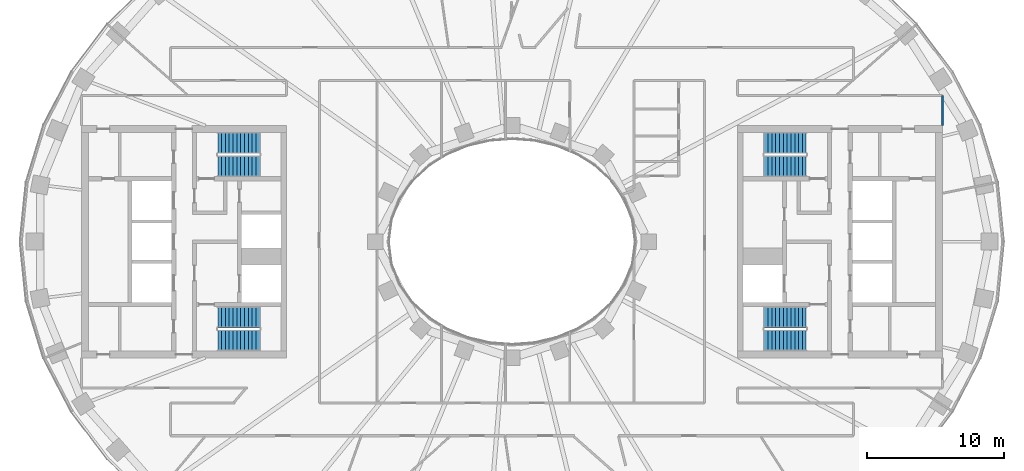
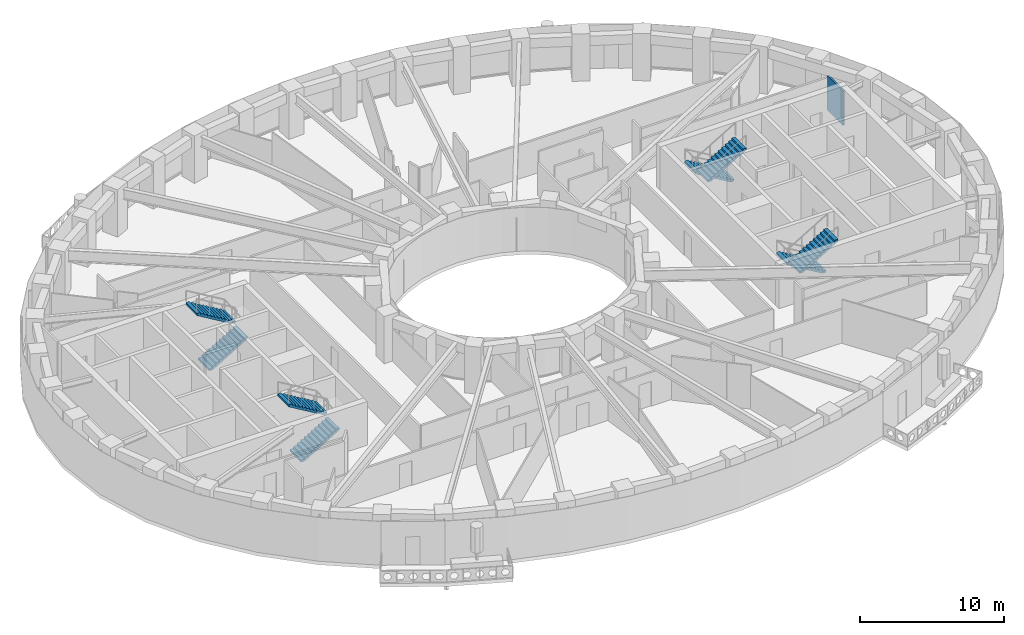
# One storey, part 7 of 15: 8 stair flights, 1 wall, 4 elements without a shape of their own.
"""IFC4 building model written with IfcOpenShell, lengths in metres."""

import ifcopenshell
import ifcopenshell.guid

model = None  # the IFC model being written
_history = None  # IfcOwnerHistory: only IFC2X3 demands one
_inside = {}  # id of a spatial element -> (the spatial element, [elements in it])
_under = {}  # id of a project, library or spatial element -> (it, [spatial elements below it])
_declared = {}  # id of a project -> (the project, [libraries it declares])
_typed = {}  # id of a type object -> (the type object, [elements of that type])
_made_of = {}  # id of a material, layer set ... -> (it, [elements and type objects made of it])


def new_model(schema):
    """Start an empty IFC model of exactly this schema.

    Asked for "IFC4X3", IfcOpenShell would pick the latest addendum, in which some entities
    have other attributes; the version numbers below select the first issue.
    IFC2X3 requires an IfcOwnerHistory on every rooted entity: one is made here for all.
    """
    global model, _history
    if schema == "IFC4X3":
        model = ifcopenshell.file(schema_version=(4, 3, 0, 0))
    else:
        model = ifcopenshell.file(schema=schema)
    _inside.clear()
    _under.clear()
    _declared.clear()
    _typed.clear()
    _made_of.clear()
    _history = None
    if model.schema == "IFC2X3":
        org = make("IfcOrganization", Name="unknown")
        user = make(
            "IfcPersonAndOrganization",
            ThePerson=make("IfcPerson", FamilyName="unknown"),
            TheOrganization=org,
        )
        app = make(
            "IfcApplication",
            ApplicationDeveloper=org,
            Version="unknown",
            ApplicationFullName="unknown",
            ApplicationIdentifier="unknown",
        )
        _history = make(
            "IfcOwnerHistory",
            OwningUser=user,
            OwningApplication=app,
            ChangeAction="ADDED",
            CreationDate=0,
        )
    return model


def make(cls, **values):
    """One entity of the class cls with the attributes given. An attribute that is None is left unset."""
    return model.create_entity(
        cls, **{name: value for name, value in values.items() if value is not None}
    )


def rooted(cls, **values):
    """An entity with a GlobalId (a new one), such as an element, a storey or a relation."""
    return make(cls, GlobalId=ifcopenshell.guid.new(), OwnerHistory=_history, **values)


def si_unit(unit_type, name, prefix=None):
    """IfcSIUnit, for example si_unit("LENGTHUNIT", "METRE", prefix="MILLI")."""
    return make("IfcSIUnit", UnitType=unit_type, Prefix=prefix, Name=name)


def assignment(units):
    """IfcUnitAssignment: the units of a project."""
    return None if units is None else make("IfcUnitAssignment", Units=units)


def point(xyz):
    """IfcCartesianPoint."""
    return None if xyz is None else make("IfcCartesianPoint", Coordinates=xyz)


def direction(xyz):
    """IfcDirection."""
    return None if xyz is None else make("IfcDirection", DirectionRatios=xyz)


def frame(location, z_axis=None, x_axis=None):
    """IfcAxis2Placement3D, a coordinate frame: its origin and axes. An axis left out is left unset."""
    return make(
        "IfcAxis2Placement3D",
        Location=point(location),
        Axis=direction(z_axis),
        RefDirection=direction(x_axis),
    )


def frame_2d(location, x_axis=None):
    """IfcAxis2Placement2D, a coordinate frame in the plane: its origin and x axis."""
    return make(
        "IfcAxis2Placement2D", Location=point(location), RefDirection=direction(x_axis)
    )


def origin():
    """The frame at (0, 0, 0) with its axes left unset."""
    return frame((0.0, 0.0, 0.0))


def place(relative_to, where):
    """IfcLocalPlacement: puts the frame where relative to a parent placement (None: the world)."""
    return make(
        "IfcLocalPlacement", PlacementRelTo=relative_to, RelativePlacement=where
    )


def context(
    kind, dimensions, precision=None, world=None, true_north=None, identifier=None
):
    """IfcGeometricRepresentationContext, for example the 3D "Model" context."""
    return make(
        "IfcGeometricRepresentationContext",
        ContextIdentifier=identifier,
        ContextType=kind,
        CoordinateSpaceDimension=dimensions,
        Precision=precision,
        WorldCoordinateSystem=world,
        TrueNorth=true_north,
    )


def subcontext(parent, identifier, kind, view, scale=None):
    """IfcGeometricRepresentationSubContext, for example "Body" below "Model"."""
    return make(
        "IfcGeometricRepresentationSubContext",
        ContextIdentifier=identifier,
        ContextType=kind,
        ParentContext=parent,
        TargetScale=scale,
        TargetView=view,
    )


def project(units=None, contexts=None):
    """IfcProject with its units and contexts."""
    return rooted(
        "IfcProject",
        Name="project",
        RepresentationContexts=contexts,
        UnitsInContext=assignment(units),
    )


def spatial(cls, under=None, at=None, **own):
    """A site, building, storey or space (cls), placed at a placement, below another one or the project."""
    s = rooted(cls, ObjectPlacement=at, **own)
    if under is not None:
        _under.setdefault(under.id(), (under, []))[1].append(s)
    return s


def polyline(points):
    """IfcPolyline through the points."""
    return make("IfcPolyline", Points=[point(p) for p in points])


def profile(cls, at=None, kind="AREA", **sizes):
    """A parametric profile (cls). Its sizes go by their IFC names, for example OverallWidth=200.0."""
    return make(cls, ProfileType=kind, Position=at, **sizes)


def rectangle(**sizes):
    """IfcRectangleProfileDef."""
    return profile("IfcRectangleProfileDef", **sizes)


def outline(outer, holes=None, kind="AREA"):
    """IfcArbitraryClosedProfileDef: a profile drawn as a closed curve; with holes, ...WithVoids."""
    if holes is None:
        return make("IfcArbitraryClosedProfileDef", ProfileType=kind, OuterCurve=outer)
    return make(
        "IfcArbitraryProfileDefWithVoids",
        ProfileType=kind,
        OuterCurve=outer,
        InnerCurves=holes,
    )


def extrude(swept, where, along, depth):
    """IfcExtrudedAreaSolid: the profile swept, set in the frame where, extruded along a direction by depth."""
    return make(
        "IfcExtrudedAreaSolid",
        SweptArea=swept,
        Position=where,
        ExtrudedDirection=direction(along),
        Depth=depth,
    )


def shape(context_of_items, identifier, shape_type, items):
    """IfcShapeRepresentation: the items that make up one representation, for example the "Body"."""
    return make(
        "IfcShapeRepresentation",
        ContextOfItems=context_of_items,
        RepresentationIdentifier=identifier,
        RepresentationType=shape_type,
        Items=items,
    )


def material(Name=None, Category=None):
    """IfcMaterial."""
    return make("IfcMaterial", Name=Name, Category=Category)


def layer(
    of_material, thickness, ventilated=None, Name=None, Category=None, Priority=None
):
    """IfcMaterialLayer: one layer of a wall or slab, of a material (None: an air gap)."""
    return make(
        "IfcMaterialLayer",
        Material=of_material,
        LayerThickness=thickness,
        IsVentilated=ventilated,
        Name=Name,
        Category=Category,
        Priority=Priority,
    )


def layer_set(layers, Name=None):
    """IfcMaterialLayerSet."""
    return make("IfcMaterialLayerSet", MaterialLayers=layers, LayerSetName=Name)


def made_of(thing, what):
    """Note that an element or type object is made of a material, layer set ...; save() writes the relation."""
    if what is not None:
        _made_of.setdefault(what.id(), (what, []))[1].append(thing)
    return thing


def type_object(cls, material=None, **own):
    """A type object (cls), such as IfcWallType, which elements share."""
    return made_of(rooted(cls, **own), material)


def element(
    cls,
    number,
    at=None,
    inside=None,
    cuts=None,
    type_object=None,
    material=None,
    context=None,
    identifier="Body",
    shape_type=None,
    held_by="IfcProductDefinitionShape",
    body=None,
    shapes=None,
    **own,
):
    """One element of the class cls, such as IfcWall. Its Tag is "e" and its number.

    at: its placement. inside: the storey or other place that contains it. cuts: it is an
    opening in that element (IfcRelVoidsElement). A single representation is given by context,
    identifier, shape_type and body (its items); several are given by shapes. held_by: the class
    of the entity that holds the representations. save() writes the other relations.
    """
    e = rooted(cls, Tag="e%d" % number, ObjectPlacement=at, **own)
    if body is not None:
        shapes = [shape(context, identifier, shape_type, body)]
    if shapes is not None:
        e.Representation = make(held_by, Representations=shapes)
    if inside is not None:
        _inside.setdefault(inside.id(), (inside, []))[1].append(e)
    if cuts is not None:
        rooted(
            "IfcRelVoidsElement", RelatingBuildingElement=cuts, RelatedOpeningElement=e
        )
    if type_object is not None:
        _typed.setdefault(type_object.id(), (type_object, []))[1].append(e)
    return made_of(e, material)


def aggregate(whole, parts):
    """IfcRelAggregates: a whole, such as a stair, and the parts it consists of."""
    return rooted("IfcRelAggregates", RelatingObject=whole, RelatedObjects=parts)


def save(model, path):
    """Write the relations noted so far, then the file.

    IfcRelAggregates (storeys below a building ...), IfcRelContainedInSpatialStructure (elements
    in a storey), IfcRelDefinesByType, IfcRelAssociatesMaterial and IfcRelDeclares: one each for
    every whole, place, type object, material and project.
    """
    for whole, parts in _under.values():
        aggregate(whole, parts)
    for where, things in _inside.values():
        rooted(
            "IfcRelContainedInSpatialStructure",
            RelatedElements=things,
            RelatingStructure=where,
        )
    for kind, things in _typed.values():
        rooted("IfcRelDefinesByType", RelatedObjects=things, RelatingType=kind)
    for what, things in _made_of.values():
        rooted("IfcRelAssociatesMaterial", RelatedObjects=things, RelatingMaterial=what)
    for by, libraries in _declared.values():
        rooted("IfcRelDeclares", RelatingContext=by, RelatedDefinitions=libraries)
    model.write(path)


model = new_model("IFC4")

# Units and contexts
model_context = context("Model", 3, precision=1e-05, world=origin(), true_north=direction((0.0, 1.0)))
body_context = subcontext(model_context, "Body", "Model", "MODEL_VIEW")
ifc_project = project(units=[si_unit("LENGTHUNIT", "METRE"), si_unit("AREAUNIT", "SQUARE_METRE"), si_unit("VOLUMEUNIT", "CUBIC_METRE"), si_unit("PLANEANGLEUNIT", "RADIAN"), si_unit("MASSUNIT", "GRAM", prefix="KILO")], contexts=[model_context])

# Site, building, storey
site_placement = place(None, origin())
site = spatial("IfcSite", under=ifc_project, at=site_placement, CompositionType="ELEMENT")
building_placement = place(site_placement, origin())
building = spatial("IfcBuilding", under=site, at=building_placement, Name="Noorbagh Ring Tower", CompositionType="ELEMENT")
storey_placement = place(building_placement, frame((0.0, 0.0, 128.0)))
storey = spatial("IfcBuildingStorey", under=building, at=storey_placement, Name="L29", CompositionType="ELEMENT", Elevation=128.0)

# Wall
ifc_material_1 = material(Name="Gypsum board on steel studs", Category="steel")
ifc_layer = layer(ifc_material_1, 0.14990234375)
ifc_layer_set = layer_set([ifc_layer], Name="Gypsum board on steel studs")
wall_type = type_object("IfcWallType", Name="CORRIDOR PARTITION 150 EI 30", PredefinedType="PARTITIONING", material=ifc_layer_set)
wall_placement = place(storey_placement, frame((31.5, 8.5, 0.0), z_axis=(0.0, 0.0, 1.0), x_axis=(0.0, 1.0, 0.0)))
element("IfcWall", 1, at=wall_placement, inside=storey, type_object=wall_type, Name="L29/wall/P74", PredefinedType="PARTITIONING", context=body_context, shape_type="SweptSolid", body=[
    extrude(rectangle(XDim=2.199951171875, YDim=0.14990234375, at=frame_2d((1.10009765625, 0.0))), origin(), (0.0, 0.0, 1.0), 2.89990234375),
])

# Stair, stair flights
ifc_material_2 = material(Name="Concrete C40/50", Category="concrete")
stair_type = type_object("IfcStairType", Name="CORE-STAIR", PredefinedType="HALF_TURN_STAIR", material=ifc_material_2)
stair_1_placement = place(storey_placement, origin())
stair_1 = element("IfcStair", 2, at=stair_1_placement, inside=storey, type_object=stair_type, Name="L29 Exit stair ST1", PredefinedType="HALF_TURN_STAIR")
ifc_material_3 = material(Name="Concrete C40/50", Category="concrete")
stair_flight_type = type_object("IfcStairFlightType", Name="CORE-STAIR-FLIGHT", PredefinedType="STRAIGHT", material=ifc_material_3)
stair_flight_1_placement = place(storey_placement, frame((-21.530029296875, 5.52490234375, 0.0), z_axis=(0.0, 0.0, 1.0), x_axis=(1.0, 0.0, 0.0)))
stair_flight_1 = element("IfcStairFlight", 3, at=stair_flight_1_placement, type_object=stair_flight_type, Name="ST1 flight 1", NumberOfRisers=12, NumberOfTreads=11, PredefinedType="STRAIGHT", RiserHeight=0.166666667, TreadLength=0.28, context=body_context, shape_type="SweptSolid", body=[
    extrude(outline(polyline([(0.0, 0.0), (0.0, 0.166748046875), (0.280029296875, 0.166748046875), (0.280029296875, 0.333251953125), (0.56005859375, 0.333251953125), (0.56005859375, 0.5), (0.840087890625, 0.5), (0.840087890625, 0.666748046875), (1.1201171875, 0.666748046875), (1.1201171875, 0.833251953125), (1.39990234375, 0.833251953125), (1.39990234375, 1.0), (1.679931640625, 1.0), (1.679931640625, 1.166748046875), (1.9599609375, 1.166748046875), (1.9599609375, 1.333251953125), (2.239990234375, 1.333251953125), (2.239990234375, 1.5), (2.52001953125, 1.5), (2.52001953125, 1.666748046875), (2.800048828125, 1.666748046875), (2.800048828125, 1.833251953125), (3.080078125, 1.833251953125), (3.080078125, 2.0), (3.080078125, 1.658935546875), (0.29296875, 0.0), (0.0, 0.0)])), frame((0.0, 0.77490234375, 0.0), z_axis=(0.0, -1.0, 0.0), x_axis=(1.0, 0.0, 0.0)), (0.0, 0.0, 1.0), 1.550048828125),
])
stair_flight_2_placement = place(storey_placement, frame((-18.449951171875, 7.22509765625, 2.0), z_axis=(0.0, 0.0, 1.0), x_axis=(-1.0, 0.0, 0.0)))
stair_flight_2 = element("IfcStairFlight", 4, at=stair_flight_2_placement, type_object=stair_flight_type, Name="ST1 flight 2", NumberOfRisers=12, NumberOfTreads=11, PredefinedType="STRAIGHT", RiserHeight=0.166666667, TreadLength=0.28, context=body_context, shape_type="SweptSolid", body=[
    extrude(outline(polyline([(0.0, 0.0), (0.0, 0.166748046875), (0.280029296875, 0.166748046875), (0.280029296875, 0.333251953125), (0.56005859375, 0.333251953125), (0.56005859375, 0.5), (0.840087890625, 0.5), (0.840087890625, 0.666748046875), (1.1201171875, 0.666748046875), (1.1201171875, 0.833251953125), (1.39990234375, 0.833251953125), (1.39990234375, 1.0), (1.679931640625, 1.0), (1.679931640625, 1.166748046875), (1.9599609375, 1.166748046875), (1.9599609375, 1.333251953125), (2.239990234375, 1.333251953125), (2.239990234375, 1.5), (2.52001953125, 1.5), (2.52001953125, 1.666748046875), (2.800048828125, 1.666748046875), (2.800048828125, 1.833251953125), (3.080078125, 1.833251953125), (3.080078125, 2.0), (3.080078125, 1.658935546875), (0.29296875, 0.0), (0.0, 0.0)])), frame((0.0, 0.77490234375, 0.0), z_axis=(0.0, -1.0, 0.0), x_axis=(1.0, 0.0, 0.0)), (0.0, 0.0, 1.0), 1.550048828125),
])
aggregate(stair_1, [stair_flight_1, stair_flight_2])

stair_2_placement = place(storey_placement, origin())
stair_2 = element("IfcStair", 5, at=stair_2_placement, inside=storey, type_object=stair_type, Name="L29 Exit stair ST2", PredefinedType="HALF_TURN_STAIR")
stair_flight_3_placement = place(storey_placement, frame((-21.530029296875, -7.22509765625, 0.0), z_axis=(0.0, 0.0, 1.0), x_axis=(1.0, 0.0, 0.0)))
stair_flight_3 = element("IfcStairFlight", 6, at=stair_flight_3_placement, type_object=stair_flight_type, Name="ST2 flight 1", NumberOfRisers=12, NumberOfTreads=11, PredefinedType="STRAIGHT", RiserHeight=0.166666667, TreadLength=0.28, context=body_context, shape_type="SweptSolid", body=[
    extrude(outline(polyline([(0.0, 0.0), (0.0, 0.166748046875), (0.280029296875, 0.166748046875), (0.280029296875, 0.333251953125), (0.56005859375, 0.333251953125), (0.56005859375, 0.5), (0.840087890625, 0.5), (0.840087890625, 0.666748046875), (1.1201171875, 0.666748046875), (1.1201171875, 0.833251953125), (1.39990234375, 0.833251953125), (1.39990234375, 1.0), (1.679931640625, 1.0), (1.679931640625, 1.166748046875), (1.9599609375, 1.166748046875), (1.9599609375, 1.333251953125), (2.239990234375, 1.333251953125), (2.239990234375, 1.5), (2.52001953125, 1.5), (2.52001953125, 1.666748046875), (2.800048828125, 1.666748046875), (2.800048828125, 1.833251953125), (3.080078125, 1.833251953125), (3.080078125, 2.0), (3.080078125, 1.658935546875), (0.29296875, 0.0), (0.0, 0.0)])), frame((0.0, 0.77490234375, 0.0), z_axis=(0.0, -1.0, 0.0), x_axis=(1.0, 0.0, 0.0)), (0.0, 0.0, 1.0), 1.550048828125),
])
stair_flight_4_placement = place(storey_placement, frame((-18.449951171875, -5.52490234375, 2.0), z_axis=(0.0, 0.0, 1.0), x_axis=(-1.0, 0.0, 0.0)))
stair_flight_4 = element("IfcStairFlight", 7, at=stair_flight_4_placement, type_object=stair_flight_type, Name="ST2 flight 2", NumberOfRisers=12, NumberOfTreads=11, PredefinedType="STRAIGHT", RiserHeight=0.166666667, TreadLength=0.28, context=body_context, shape_type="SweptSolid", body=[
    extrude(outline(polyline([(0.0, 0.0), (0.0, 0.166748046875), (0.280029296875, 0.166748046875), (0.280029296875, 0.333251953125), (0.56005859375, 0.333251953125), (0.56005859375, 0.5), (0.840087890625, 0.5), (0.840087890625, 0.666748046875), (1.1201171875, 0.666748046875), (1.1201171875, 0.833251953125), (1.39990234375, 0.833251953125), (1.39990234375, 1.0), (1.679931640625, 1.0), (1.679931640625, 1.166748046875), (1.9599609375, 1.166748046875), (1.9599609375, 1.333251953125), (2.239990234375, 1.333251953125), (2.239990234375, 1.5), (2.52001953125, 1.5), (2.52001953125, 1.666748046875), (2.800048828125, 1.666748046875), (2.800048828125, 1.833251953125), (3.080078125, 1.833251953125), (3.080078125, 2.0), (3.080078125, 1.658935546875), (0.29296875, 0.0), (0.0, 0.0)])), frame((0.0, 0.77490234375, 0.0), z_axis=(0.0, -1.0, 0.0), x_axis=(1.0, 0.0, 0.0)), (0.0, 0.0, 1.0), 1.550048828125),
])
aggregate(stair_2, [stair_flight_3, stair_flight_4])

stair_3_placement = place(storey_placement, origin())
stair_3 = element("IfcStair", 8, at=stair_3_placement, inside=storey, type_object=stair_type, Name="L29 Exit stair ST3", PredefinedType="HALF_TURN_STAIR")
stair_flight_5_placement = place(storey_placement, frame((21.530029296875, 7.22509765625, 0.0), z_axis=(0.0, 0.0, 1.0), x_axis=(-1.0, 0.0, 0.0)))
stair_flight_5 = element("IfcStairFlight", 9, at=stair_flight_5_placement, type_object=stair_flight_type, Name="ST3 flight 1", NumberOfRisers=12, NumberOfTreads=11, PredefinedType="STRAIGHT", RiserHeight=0.166666667, TreadLength=0.28, context=body_context, shape_type="SweptSolid", body=[
    extrude(outline(polyline([(0.0, 0.0), (0.0, 0.166748046875), (0.280029296875, 0.166748046875), (0.280029296875, 0.333251953125), (0.56005859375, 0.333251953125), (0.56005859375, 0.5), (0.840087890625, 0.5), (0.840087890625, 0.666748046875), (1.1201171875, 0.666748046875), (1.1201171875, 0.833251953125), (1.39990234375, 0.833251953125), (1.39990234375, 1.0), (1.679931640625, 1.0), (1.679931640625, 1.166748046875), (1.9599609375, 1.166748046875), (1.9599609375, 1.333251953125), (2.239990234375, 1.333251953125), (2.239990234375, 1.5), (2.52001953125, 1.5), (2.52001953125, 1.666748046875), (2.800048828125, 1.666748046875), (2.800048828125, 1.833251953125), (3.080078125, 1.833251953125), (3.080078125, 2.0), (3.080078125, 1.658935546875), (0.29296875, 0.0), (0.0, 0.0)])), frame((0.0, 0.77490234375, 0.0), z_axis=(0.0, -1.0, 0.0), x_axis=(1.0, 0.0, 0.0)), (0.0, 0.0, 1.0), 1.550048828125),
])
stair_flight_6_placement = place(storey_placement, frame((18.449951171875, 5.52490234375, 2.0), z_axis=(0.0, 0.0, 1.0), x_axis=(1.0, 0.0, 0.0)))
stair_flight_6 = element("IfcStairFlight", 10, at=stair_flight_6_placement, type_object=stair_flight_type, Name="ST3 flight 2", NumberOfRisers=12, NumberOfTreads=11, PredefinedType="STRAIGHT", RiserHeight=0.166666667, TreadLength=0.28, context=body_context, shape_type="SweptSolid", body=[
    extrude(outline(polyline([(0.0, 0.0), (0.0, 0.166748046875), (0.280029296875, 0.166748046875), (0.280029296875, 0.333251953125), (0.56005859375, 0.333251953125), (0.56005859375, 0.5), (0.840087890625, 0.5), (0.840087890625, 0.666748046875), (1.1201171875, 0.666748046875), (1.1201171875, 0.833251953125), (1.39990234375, 0.833251953125), (1.39990234375, 1.0), (1.679931640625, 1.0), (1.679931640625, 1.166748046875), (1.9599609375, 1.166748046875), (1.9599609375, 1.333251953125), (2.239990234375, 1.333251953125), (2.239990234375, 1.5), (2.52001953125, 1.5), (2.52001953125, 1.666748046875), (2.800048828125, 1.666748046875), (2.800048828125, 1.833251953125), (3.080078125, 1.833251953125), (3.080078125, 2.0), (3.080078125, 1.658935546875), (0.29296875, 0.0), (0.0, 0.0)])), frame((0.0, 0.77490234375, 0.0), z_axis=(0.0, -1.0, 0.0), x_axis=(1.0, 0.0, 0.0)), (0.0, 0.0, 1.0), 1.550048828125),
])
aggregate(stair_3, [stair_flight_5, stair_flight_6])

stair_4_placement = place(storey_placement, origin())
stair_4 = element("IfcStair", 11, at=stair_4_placement, inside=storey, type_object=stair_type, Name="L29 Exit stair ST4", PredefinedType="HALF_TURN_STAIR")
stair_flight_7_placement = place(storey_placement, frame((21.530029296875, -5.52490234375, 0.0), z_axis=(0.0, 0.0, 1.0), x_axis=(-1.0, 0.0, 0.0)))
stair_flight_7 = element("IfcStairFlight", 12, at=stair_flight_7_placement, type_object=stair_flight_type, Name="ST4 flight 1", NumberOfRisers=12, NumberOfTreads=11, PredefinedType="STRAIGHT", RiserHeight=0.166666667, TreadLength=0.28, context=body_context, shape_type="SweptSolid", body=[
    extrude(outline(polyline([(0.0, 0.0), (0.0, 0.166748046875), (0.280029296875, 0.166748046875), (0.280029296875, 0.333251953125), (0.56005859375, 0.333251953125), (0.56005859375, 0.5), (0.840087890625, 0.5), (0.840087890625, 0.666748046875), (1.1201171875, 0.666748046875), (1.1201171875, 0.833251953125), (1.39990234375, 0.833251953125), (1.39990234375, 1.0), (1.679931640625, 1.0), (1.679931640625, 1.166748046875), (1.9599609375, 1.166748046875), (1.9599609375, 1.333251953125), (2.239990234375, 1.333251953125), (2.239990234375, 1.5), (2.52001953125, 1.5), (2.52001953125, 1.666748046875), (2.800048828125, 1.666748046875), (2.800048828125, 1.833251953125), (3.080078125, 1.833251953125), (3.080078125, 2.0), (3.080078125, 1.658935546875), (0.29296875, 0.0), (0.0, 0.0)])), frame((0.0, 0.77490234375, 0.0), z_axis=(0.0, -1.0, 0.0), x_axis=(1.0, 0.0, 0.0)), (0.0, 0.0, 1.0), 1.550048828125),
])
stair_flight_8_placement = place(storey_placement, frame((18.449951171875, -7.22509765625, 2.0), z_axis=(0.0, 0.0, 1.0), x_axis=(1.0, 0.0, 0.0)))
stair_flight_8 = element("IfcStairFlight", 13, at=stair_flight_8_placement, type_object=stair_flight_type, Name="ST4 flight 2", NumberOfRisers=12, NumberOfTreads=11, PredefinedType="STRAIGHT", RiserHeight=0.166666667, TreadLength=0.28, context=body_context, shape_type="SweptSolid", body=[
    extrude(outline(polyline([(0.0, 0.0), (0.0, 0.166748046875), (0.280029296875, 0.166748046875), (0.280029296875, 0.333251953125), (0.56005859375, 0.333251953125), (0.56005859375, 0.5), (0.840087890625, 0.5), (0.840087890625, 0.666748046875), (1.1201171875, 0.666748046875), (1.1201171875, 0.833251953125), (1.39990234375, 0.833251953125), (1.39990234375, 1.0), (1.679931640625, 1.0), (1.679931640625, 1.166748046875), (1.9599609375, 1.166748046875), (1.9599609375, 1.333251953125), (2.239990234375, 1.333251953125), (2.239990234375, 1.5), (2.52001953125, 1.5), (2.52001953125, 1.666748046875), (2.800048828125, 1.666748046875), (2.800048828125, 1.833251953125), (3.080078125, 1.833251953125), (3.080078125, 2.0), (3.080078125, 1.658935546875), (0.29296875, 0.0), (0.0, 0.0)])), frame((0.0, 0.77490234375, 0.0), z_axis=(0.0, -1.0, 0.0), x_axis=(1.0, 0.0, 0.0)), (0.0, 0.0, 1.0), 1.550048828125),
])
aggregate(stair_4, [stair_flight_7, stair_flight_8])

save(model, "model.ifc")
